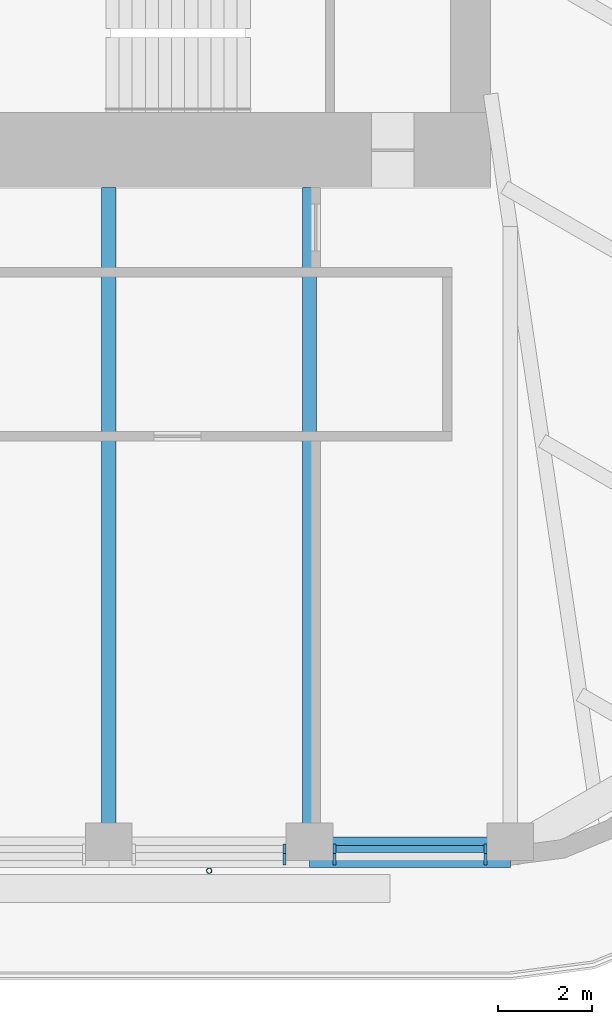
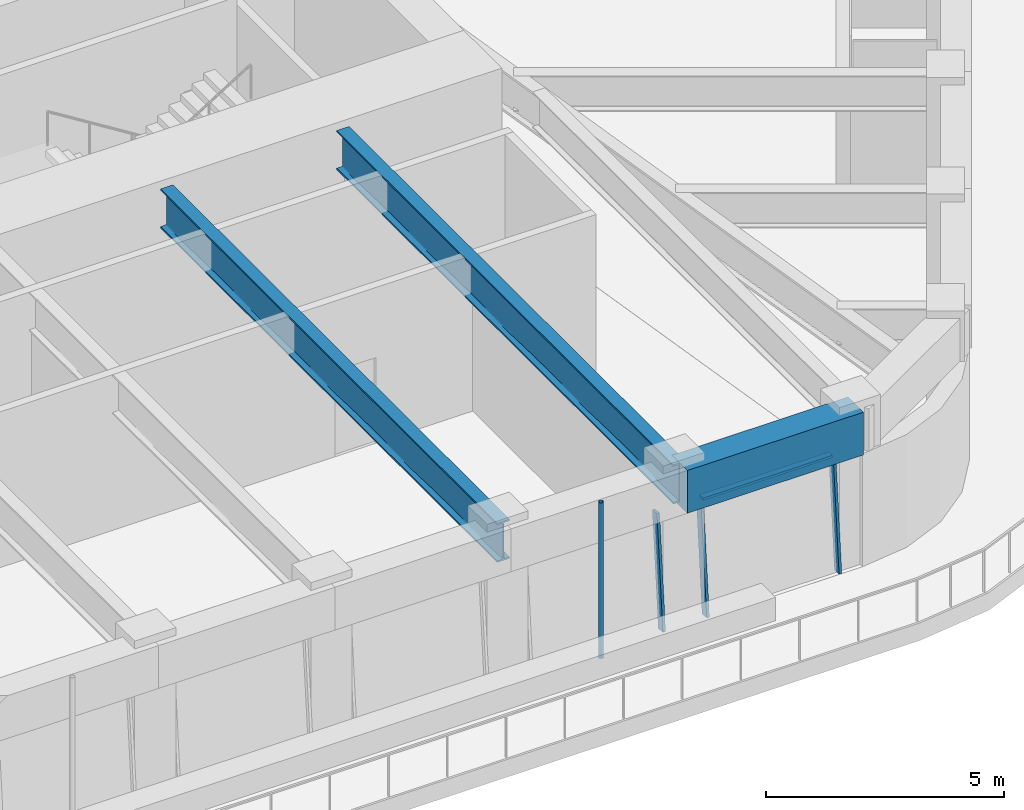
# One storey, part 4 of 19: 5 members, 3 beams, 2 elements without a shape of their own.
"""IFC4 building model written with IfcOpenShell, lengths in metres."""

from ifc_helpers import new_model, si_unit, direction, frame, origin, origin_2d, place, context, subcontext, project, spatial, rectangle, hollow_circle, i_section, extrude, material, material_profile, profile_set, type_object, element, aggregate, save


model = new_model("IFC4")

# Units and contexts
model_context = context("Model", 3, precision=1e-05, world=origin(), true_north=direction((0.0, 1.0)))
body_context = subcontext(model_context, "Body", "Model", "MODEL_VIEW")
ifc_project = project(units=[si_unit("LENGTHUNIT", "METRE"), si_unit("AREAUNIT", "SQUARE_METRE"), si_unit("VOLUMEUNIT", "CUBIC_METRE"), si_unit("PLANEANGLEUNIT", "RADIAN"), si_unit("MASSUNIT", "GRAM", prefix="KILO")], contexts=[model_context])

# Site, building, storey
site_placement = place(None, origin())
site = spatial("IfcSite", under=ifc_project, at=site_placement, CompositionType="ELEMENT")
building_placement = place(site_placement, origin())
building = spatial("IfcBuilding", under=site, at=building_placement, Name="Tarfa Lantern Tower", CompositionType="ELEMENT")
storey_placement = place(building_placement, frame((0.0, 0.0, 345.10009765625)))
storey = spatial("IfcBuildingStorey", under=building, at=storey_placement, Name="L78", CompositionType="ELEMENT", Elevation=345.10009765625)

# Curtain wall, member
ifc_material_1 = material(Name="Aluminium framed curtain wall", Category="aluminium")
curtain_wall_type = type_object("IfcCurtainWallType", Name="CW4 CANTED GLAZING EXECUTIVE ZONE 2900", PredefinedType="USERDEFINED", material=ifc_material_1)
curtain_wall_1_placement = place(storey_placement, origin())
curtain_wall_1 = element("IfcCurtainWall", 1, at=curtain_wall_1_placement, inside=storey, type_object=curtain_wall_type, Name="CW4 S L78", ObjectType="CURTAIN WALL", PredefinedType="USERDEFINED")
ifc_material_2 = material(Name="Aluminium mullion", Category="aluminium")
ifc_material_profile_1 = material_profile(ifc_material_2, rectangle(XDim=0.06494140625, YDim=0.199951171875, at=origin_2d()), Name="AL MULLION 65x200")
ifc_profile_set_1 = profile_set([ifc_material_profile_1], Name="Aluminium mullion")
member_type_1 = type_object("IfcMemberType", Name="CWM1 MULLION 65x200", PredefinedType="MULLION", material=ifc_profile_set_1)
member_1_placement = place(storey_placement, frame((8.031494140625, -26.64990234375, 0.0), z_axis=(0.0, 0.085891213166, 0.99630452147), x_axis=(-1.0, 0.0, 0.0)))
member_1 = element("IfcMember", 2, at=member_1_placement, type_object=member_type_1, Name="CW4 mullion 2", PredefinedType="MULLION", context=body_context, shape_type="SweptSolid", body=[
    extrude(rectangle(XDim=0.06494140625, YDim=0.199951171875, at=origin_2d()), origin(), (0.0, 0.0, 1.0), 2.91064453125),
])
aggregate(curtain_wall_1, [member_1])

# Curtain wall, members
curtain_wall_2_placement = place(storey_placement, origin())
curtain_wall_2 = element("IfcCurtainWall", 3, at=curtain_wall_2_placement, inside=storey, type_object=curtain_wall_type, Name="CW4 S L78", ObjectType="CURTAIN WALL", PredefinedType="USERDEFINED")
member_2_placement = place(storey_placement, frame((9.096435546875, -26.64990234375, 0.0), z_axis=(0.0, 0.085891213166, 0.99630452147), x_axis=(-1.0, 0.0, 0.0)))
member_2 = element("IfcMember", 4, at=member_2_placement, type_object=member_type_1, Name="CW4 mullion 1", PredefinedType="MULLION", context=body_context, shape_type="SweptSolid", body=[
    extrude(rectangle(XDim=0.06494140625, YDim=0.199951171875, at=origin_2d()), origin(), (0.0, 0.0, 1.0), 2.91064453125),
])
member_3_placement = place(storey_placement, frame((12.3134765625, -26.64990234375, 0.0), z_axis=(0.0, 0.085891213166, 0.99630452147), x_axis=(-1.0, 0.0, 0.0)))
member_3 = element("IfcMember", 5, at=member_3_placement, type_object=member_type_1, Name="CW4 mullion 2", PredefinedType="MULLION", context=body_context, shape_type="SweptSolid", body=[
    extrude(rectangle(XDim=0.06494140625, YDim=0.199951171875, at=origin_2d()), origin(), (0.0, 0.0, 1.0), 2.91064453125),
])
ifc_material_3 = material(Name="Aluminium transom", Category="aluminium")
ifc_material_profile_2 = material_profile(ifc_material_3, rectangle(XDim=0.14990234375, YDim=0.06494140625, at=origin_2d()), Name="AL TRANSOM 150x65")
ifc_profile_set_2 = profile_set([ifc_material_profile_2], Name="Aluminium transom")
member_type_2 = type_object("IfcMemberType", Name="CWT1 TRANSOM 150x65", PredefinedType="USERDEFINED", material=ifc_profile_set_2)
member_4_placement = place(storey_placement, frame((9.129150390625, -26.40283203125, 2.867431640625), z_axis=(1.0, 0.0, 0.0), x_axis=(0.0, 1.0, 0.0)))
member_4 = element("IfcMember", 6, at=member_4_placement, type_object=member_type_2, Name="CW4 transom 1.2", ObjectType="TRANSOM", PredefinedType="USERDEFINED", context=body_context, shape_type="SweptSolid", body=[
    extrude(rectangle(XDim=0.14990234375, YDim=0.06494140625, at=origin_2d()), origin(), (0.0, 0.0, 1.0), 3.15185546875),
])
aggregate(curtain_wall_2, [member_2, member_3, member_4])

# Beam
ifc_material_4 = material(Name="Concrete C80/95", Category="concrete")
ifc_material_profile_3 = material_profile(ifc_material_4, rectangle(XDim=0.64990234375, YDim=1.10009765625, at=origin_2d()), Name="RC 650x1100")
ifc_profile_set_3 = profile_set([ifc_material_profile_3], Name="Concrete C80/95")
beam_type_1 = type_object("IfcBeamType", Name="EB4 RC 650x1100", PredefinedType="SPANDREL", material=ifc_profile_set_3)
beam_placement = place(storey_placement, frame((8.56396484375, -26.469970703125, 3.449951171875), z_axis=(1.0, 0.0, 0.0), x_axis=(0.0, 1.0, 0.0)))
element("IfcBeam", 7, at=beam_placement, inside=storey, type_object=beam_type_1, Name="Edge beam S5", PredefinedType="SPANDREL", context=body_context, shape_type="SweptSolid", body=[
    extrude(rectangle(XDim=0.64990234375, YDim=1.10009765625, at=origin_2d()), origin(), (0.0, 0.0, 1.0), 4.281982421875),
])

# Member
ifc_material_5 = material(Name="Steel S355", Category="steel")
ifc_material_profile_4 = material_profile(ifc_material_5, hollow_circle(Radius=0.05712890625, WallThickness=0.00634765625, at=origin_2d()), Name="CHS114.3x6.3")
ifc_profile_set_4 = profile_set([ifc_material_profile_4], Name="Steel S355")
member_type_3 = type_object("IfcMemberType", Name="TR1 GREEN WALL TRELLIS CHS114.3x6.3", PredefinedType="USERDEFINED", material=ifc_profile_set_4)
member_5_placement = place(storey_placement, frame((6.423095703125, -26.8701171875, 0.0), z_axis=(0.0, 0.0, 1.0), x_axis=(1.0, 0.0, 0.0)))
element("IfcMember", 8, at=member_5_placement, inside=storey, type_object=member_type_3, Name="Trellis post S 2", ObjectType="TRELLIS", PredefinedType="USERDEFINED", context=body_context, shape_type="SweptSolid", body=[
    extrude(hollow_circle(Radius=0.05712890625, WallThickness=0.00634765625, at=origin_2d()), origin(), (0.0, 0.0, 1.0), 4.0),
])

# Beams
ifc_material_6 = material(Name="Steel S460M", Category="steel")
ifc_material_profile_5 = material_profile(ifc_material_6, i_section(OverallWidth=0.302001953125, OverallDepth=1.008056640625, WebThickness=0.02099609375, FlangeThickness=0.0400390625, FilletRadius=0.030029296875, at=origin_2d()), Name="UB1016x305x349")
ifc_profile_set_5 = profile_set([ifc_material_profile_5], Name="Steel S460M")
beam_type_2 = type_object("IfcBeamType", Name="UB1016x305x349", PredefinedType="BEAM", material=ifc_profile_set_5)
for number, where, z_axis, x_axis, name in (
    (9, (4.281982421875, -26.469970703125, 3.495849609375), (0.0, 1.0, 0.0), (-1.0, 0.0, 0.0), "Floor beam S4"),
    (10, (8.56396484375, -26.469970703125, 3.495849609375), (0.0, 1.0, 0.0), (-1.0, 0.0, 0.0), "Floor beam S5"),
):
    element("IfcBeam", number, at=place(storey_placement, frame(where, z_axis=z_axis, x_axis=x_axis)), inside=storey, type_object=beam_type_2, Name=name, PredefinedType="BEAM", context=body_context, shape_type="SweptSolid", body=[
        extrude(i_section(OverallWidth=0.302001953125, OverallDepth=1.008056640625, WebThickness=0.02099609375, FlangeThickness=0.0400390625, FilletRadius=0.030029296875, at=origin_2d()), origin(), (0.0, 0.0, 1.0), 14.169921875),
    ])

save(model, "model.ifc")
